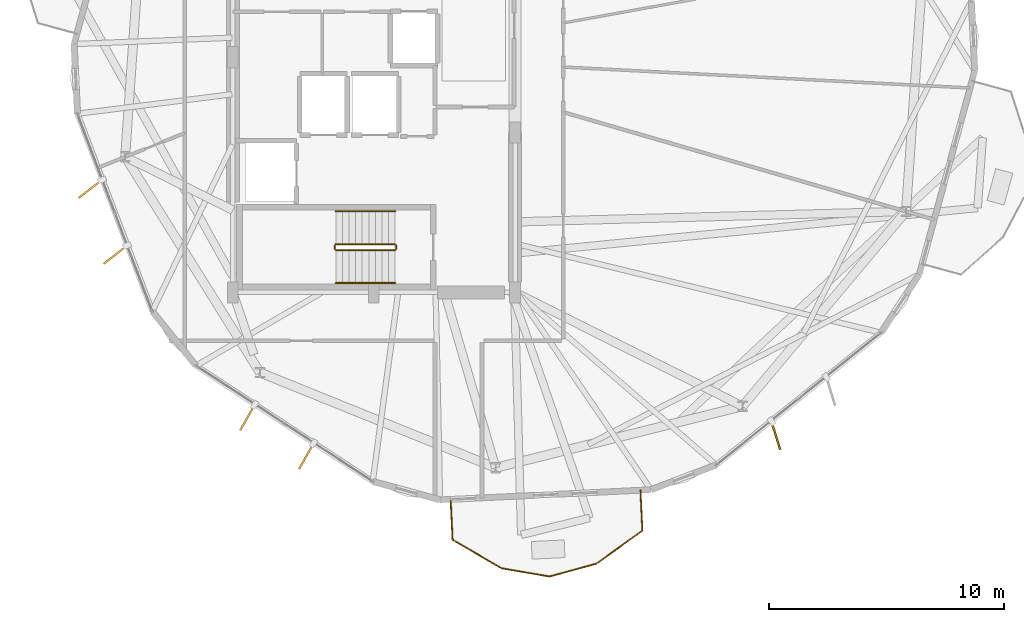
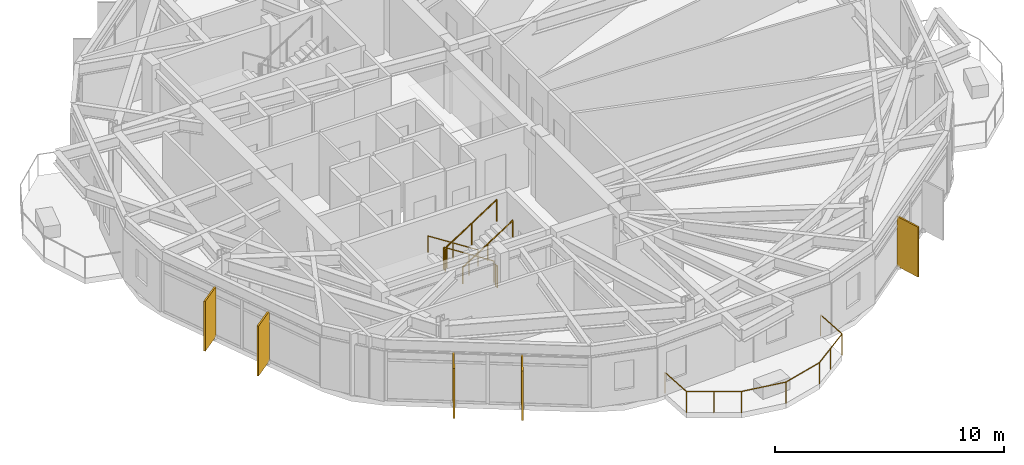
# One storey, part 21 of 23: 7 railings, 5 shading devices.
"""IFC4 building model written with IfcOpenShell, lengths in metres."""

import ifcopenshell
import ifcopenshell.guid

model = None  # the IFC model being written
_history = None  # IfcOwnerHistory: only IFC2X3 demands one
_inside = {}  # id of a spatial element -> (the spatial element, [elements in it])
_under = {}  # id of a project, library or spatial element -> (it, [spatial elements below it])
_declared = {}  # id of a project -> (the project, [libraries it declares])
_typed = {}  # id of a type object -> (the type object, [elements of that type])
_made_of = {}  # id of a material, layer set ... -> (it, [elements and type objects made of it])


def new_model(schema):
    """Start an empty IFC model of exactly this schema.

    Asked for "IFC4X3", IfcOpenShell would pick the latest addendum, in which some entities
    have other attributes; the version numbers below select the first issue.
    IFC2X3 requires an IfcOwnerHistory on every rooted entity: one is made here for all.
    """
    global model, _history
    if schema == "IFC4X3":
        model = ifcopenshell.file(schema_version=(4, 3, 0, 0))
    else:
        model = ifcopenshell.file(schema=schema)
    _inside.clear()
    _under.clear()
    _declared.clear()
    _typed.clear()
    _made_of.clear()
    _history = None
    if model.schema == "IFC2X3":
        org = make("IfcOrganization", Name="unknown")
        user = make(
            "IfcPersonAndOrganization",
            ThePerson=make("IfcPerson", FamilyName="unknown"),
            TheOrganization=org,
        )
        app = make(
            "IfcApplication",
            ApplicationDeveloper=org,
            Version="unknown",
            ApplicationFullName="unknown",
            ApplicationIdentifier="unknown",
        )
        _history = make(
            "IfcOwnerHistory",
            OwningUser=user,
            OwningApplication=app,
            ChangeAction="ADDED",
            CreationDate=0,
        )
    return model


def make(cls, **values):
    """One entity of the class cls with the attributes given. An attribute that is None is left unset."""
    return model.create_entity(
        cls, **{name: value for name, value in values.items() if value is not None}
    )


def rooted(cls, **values):
    """An entity with a GlobalId (a new one), such as an element, a storey or a relation."""
    return make(cls, GlobalId=ifcopenshell.guid.new(), OwnerHistory=_history, **values)


def si_unit(unit_type, name, prefix=None):
    """IfcSIUnit, for example si_unit("LENGTHUNIT", "METRE", prefix="MILLI")."""
    return make("IfcSIUnit", UnitType=unit_type, Prefix=prefix, Name=name)


def assignment(units):
    """IfcUnitAssignment: the units of a project."""
    return None if units is None else make("IfcUnitAssignment", Units=units)


def point(xyz):
    """IfcCartesianPoint."""
    return None if xyz is None else make("IfcCartesianPoint", Coordinates=xyz)


def direction(xyz):
    """IfcDirection."""
    return None if xyz is None else make("IfcDirection", DirectionRatios=xyz)


def frame(location, z_axis=None, x_axis=None):
    """IfcAxis2Placement3D, a coordinate frame: its origin and axes. An axis left out is left unset."""
    return make(
        "IfcAxis2Placement3D",
        Location=point(location),
        Axis=direction(z_axis),
        RefDirection=direction(x_axis),
    )


def frame_2d(location, x_axis=None):
    """IfcAxis2Placement2D, a coordinate frame in the plane: its origin and x axis."""
    return make(
        "IfcAxis2Placement2D", Location=point(location), RefDirection=direction(x_axis)
    )


def origin():
    """The frame at (0, 0, 0) with its axes left unset."""
    return frame((0.0, 0.0, 0.0))


def origin_2d():
    """The frame at (0, 0) in the plane with its x axis left unset."""
    return frame_2d((0.0, 0.0))


def place(relative_to, where):
    """IfcLocalPlacement: puts the frame where relative to a parent placement (None: the world)."""
    return make(
        "IfcLocalPlacement", PlacementRelTo=relative_to, RelativePlacement=where
    )


def context(
    kind, dimensions, precision=None, world=None, true_north=None, identifier=None
):
    """IfcGeometricRepresentationContext, for example the 3D "Model" context."""
    return make(
        "IfcGeometricRepresentationContext",
        ContextIdentifier=identifier,
        ContextType=kind,
        CoordinateSpaceDimension=dimensions,
        Precision=precision,
        WorldCoordinateSystem=world,
        TrueNorth=true_north,
    )


def subcontext(parent, identifier, kind, view, scale=None):
    """IfcGeometricRepresentationSubContext, for example "Body" below "Model"."""
    return make(
        "IfcGeometricRepresentationSubContext",
        ContextIdentifier=identifier,
        ContextType=kind,
        ParentContext=parent,
        TargetScale=scale,
        TargetView=view,
    )


def project(units=None, contexts=None):
    """IfcProject with its units and contexts."""
    return rooted(
        "IfcProject",
        Name="project",
        RepresentationContexts=contexts,
        UnitsInContext=assignment(units),
    )


def spatial(cls, under=None, at=None, **own):
    """A site, building, storey or space (cls), placed at a placement, below another one or the project."""
    s = rooted(cls, ObjectPlacement=at, **own)
    if under is not None:
        _under.setdefault(under.id(), (under, []))[1].append(s)
    return s


def profile(cls, at=None, kind="AREA", **sizes):
    """A parametric profile (cls). Its sizes go by their IFC names, for example OverallWidth=200.0."""
    return make(cls, ProfileType=kind, Position=at, **sizes)


def rectangle(**sizes):
    """IfcRectangleProfileDef."""
    return profile("IfcRectangleProfileDef", **sizes)


def circle(**sizes):
    """IfcCircleProfileDef."""
    return profile("IfcCircleProfileDef", **sizes)


def extrude(swept, where, along, depth):
    """IfcExtrudedAreaSolid: the profile swept, set in the frame where, extruded along a direction by depth."""
    return make(
        "IfcExtrudedAreaSolid",
        SweptArea=swept,
        Position=where,
        ExtrudedDirection=direction(along),
        Depth=depth,
    )


def shape(context_of_items, identifier, shape_type, items):
    """IfcShapeRepresentation: the items that make up one representation, for example the "Body"."""
    return make(
        "IfcShapeRepresentation",
        ContextOfItems=context_of_items,
        RepresentationIdentifier=identifier,
        RepresentationType=shape_type,
        Items=items,
    )


def material(Name=None, Category=None):
    """IfcMaterial."""
    return make("IfcMaterial", Name=Name, Category=Category)


def layer(
    of_material, thickness, ventilated=None, Name=None, Category=None, Priority=None
):
    """IfcMaterialLayer: one layer of a wall or slab, of a material (None: an air gap)."""
    return make(
        "IfcMaterialLayer",
        Material=of_material,
        LayerThickness=thickness,
        IsVentilated=ventilated,
        Name=Name,
        Category=Category,
        Priority=Priority,
    )


def layer_set(layers, Name=None):
    """IfcMaterialLayerSet."""
    return make("IfcMaterialLayerSet", MaterialLayers=layers, LayerSetName=Name)


def made_of(thing, what):
    """Note that an element or type object is made of a material, layer set ...; save() writes the relation."""
    if what is not None:
        _made_of.setdefault(what.id(), (what, []))[1].append(thing)
    return thing


def type_object(cls, material=None, **own):
    """A type object (cls), such as IfcWallType, which elements share."""
    return made_of(rooted(cls, **own), material)


def element(
    cls,
    number,
    at=None,
    inside=None,
    cuts=None,
    type_object=None,
    material=None,
    context=None,
    identifier="Body",
    shape_type=None,
    held_by="IfcProductDefinitionShape",
    body=None,
    shapes=None,
    **own,
):
    """One element of the class cls, such as IfcWall. Its Tag is "e" and its number.

    at: its placement. inside: the storey or other place that contains it. cuts: it is an
    opening in that element (IfcRelVoidsElement). A single representation is given by context,
    identifier, shape_type and body (its items); several are given by shapes. held_by: the class
    of the entity that holds the representations. save() writes the other relations.
    """
    e = rooted(cls, Tag="e%d" % number, ObjectPlacement=at, **own)
    if body is not None:
        shapes = [shape(context, identifier, shape_type, body)]
    if shapes is not None:
        e.Representation = make(held_by, Representations=shapes)
    if inside is not None:
        _inside.setdefault(inside.id(), (inside, []))[1].append(e)
    if cuts is not None:
        rooted(
            "IfcRelVoidsElement", RelatingBuildingElement=cuts, RelatedOpeningElement=e
        )
    if type_object is not None:
        _typed.setdefault(type_object.id(), (type_object, []))[1].append(e)
    return made_of(e, material)


def aggregate(whole, parts):
    """IfcRelAggregates: a whole, such as a stair, and the parts it consists of."""
    return rooted("IfcRelAggregates", RelatingObject=whole, RelatedObjects=parts)


def save(model, path):
    """Write the relations noted so far, then the file.

    IfcRelAggregates (storeys below a building ...), IfcRelContainedInSpatialStructure (elements
    in a storey), IfcRelDefinesByType, IfcRelAssociatesMaterial and IfcRelDeclares: one each for
    every whole, place, type object, material and project.
    """
    for whole, parts in _under.values():
        aggregate(whole, parts)
    for where, things in _inside.values():
        rooted(
            "IfcRelContainedInSpatialStructure",
            RelatedElements=things,
            RelatingStructure=where,
        )
    for kind, things in _typed.values():
        rooted("IfcRelDefinesByType", RelatedObjects=things, RelatingType=kind)
    for what, things in _made_of.values():
        rooted("IfcRelAssociatesMaterial", RelatedObjects=things, RelatingMaterial=what)
    for by, libraries in _declared.values():
        rooted("IfcRelDeclares", RelatingContext=by, RelatedDefinitions=libraries)
    model.write(path)


model = new_model("IFC4")

# Units and contexts
model_context = context("Model", 3, precision=1e-05, world=origin(), true_north=direction((0.0, 1.0)))
body_context = subcontext(model_context, "Body", "Model", "MODEL_VIEW")
ifc_project = project(units=[si_unit("LENGTHUNIT", "METRE"), si_unit("AREAUNIT", "SQUARE_METRE"), si_unit("VOLUMEUNIT", "CUBIC_METRE"), si_unit("PLANEANGLEUNIT", "RADIAN"), si_unit("MASSUNIT", "GRAM", prefix="KILO")], contexts=[model_context])

# Site, building, storey
site_placement = place(None, origin())
site = spatial("IfcSite", under=ifc_project, at=site_placement, CompositionType="ELEMENT")
building_placement = place(site_placement, origin())
building = spatial("IfcBuilding", under=site, at=building_placement, Name="Soratama Intermodal Tower", CompositionType="ELEMENT")
storey_placement = place(building_placement, frame((0.0, 0.0, 175.0)))
storey = spatial("IfcBuildingStorey", under=building, at=storey_placement, Name="L43", CompositionType="ELEMENT", Elevation=175.0)

# Railings
ifc_material_1 = material(Name="Laminated glass and stainless steel balustrade", Category="steel")
railing_type_1 = type_object("IfcRailingType", Name="RL-BAL-1150", PredefinedType="BALUSTRADE", material=ifc_material_1)
railing_1_placement = place(storey_placement, frame((49.93505859375, 6.588623046875, 0.0)))
element("IfcRailing", 1, at=railing_1_placement, inside=storey, type_object=railing_type_1, Name="L43 Balcony Balustrade 3", PredefinedType="BALUSTRADE", context=body_context, shape_type="SweptSolid", body=[
    extrude(circle(Radius=0.02392578125, at=origin_2d()), frame((0.0, 0.0, 1.1259765625), z_axis=(0.048118135555, -0.99884165163, 0.0), x_axis=(0.99884165163, 0.048118135555, 0.0)), (0.0, 0.0, 1.0), 1.719970703125),
    extrude(circle(Radius=0.02392578125, at=origin_2d()), frame((0.082763671875, -1.718017578125, 1.1259765625), z_axis=(-0.811818717804, -0.583909555859, 0.0), x_axis=(0.583909555859, -0.811818717804, 0.0)), (0.0, 0.0, 1.0), 2.4091796875),
    extrude(circle(Radius=0.02392578125, at=origin_2d()), frame((-1.873046875, -3.124755859375, 1.1259765625), z_axis=(-0.964627658087, -0.263616162733, 0.0), x_axis=(0.263616162733, -0.964627658087, 0.0)), (0.0, 0.0, 1.0), 2.07080078125),
    extrude(circle(Radius=0.02392578125, at=origin_2d()), frame((-3.87060546875, -3.670654296875, 1.1259765625), z_axis=(-0.985503648178, 0.169654234924, 0.0), x_axis=(-0.169654234924, -0.985503648178, 0.0)), (0.0, 0.0, 1.0), 2.07080078125),
    extrude(circle(Radius=0.02392578125, at=origin_2d()), frame((-5.911376953125, -3.3193359375, 1.1259765625), z_axis=(-0.864249005686, 0.503064266443, 0.0), x_axis=(-0.503064266443, -0.864249005686, 0.0)), (0.0, 0.0, 1.0), 2.4091796875),
    extrude(circle(Radius=0.02392578125, at=origin_2d()), frame((-7.993408203125, -2.107421875, 1.1259765625), z_axis=(-0.048118135555, 0.99884165163, 0.0), x_axis=(-0.99884165163, -0.048118135555, 0.0)), (0.0, 0.0, 1.0), 1.719970703125),
    extrude(circle(Radius=0.02099609375, at=origin_2d()), origin(), (0.0, 0.0, 1.0), 1.101806640625),
    extrude(circle(Radius=0.02099609375, at=origin_2d()), frame((0.082763671875, -1.718017578125, 0.0)), (0.0, 0.0, 1.0), 1.101806640625),
    extrude(circle(Radius=0.02099609375, at=origin_2d()), frame((-0.89501953125, -2.42138671875, 0.0)), (0.0, 0.0, 1.0), 1.101806640625),
    extrude(circle(Radius=0.02099609375, at=origin_2d()), frame((-1.873046875, -3.124755859375, 0.0)), (0.0, 0.0, 1.0), 1.101806640625),
    extrude(circle(Radius=0.02099609375, at=origin_2d()), frame((-3.87060546875, -3.670654296875, 0.0)), (0.0, 0.0, 1.0), 1.101806640625),
    extrude(circle(Radius=0.02099609375, at=origin_2d()), frame((-5.911376953125, -3.3193359375, 0.0)), (0.0, 0.0, 1.0), 1.101806640625),
    extrude(circle(Radius=0.02099609375, at=origin_2d()), frame((-6.952392578125, -2.71337890625, 0.0)), (0.0, 0.0, 1.0), 1.101806640625),
    extrude(circle(Radius=0.02099609375, at=origin_2d()), frame((-7.993408203125, -2.107421875, 0.0)), (0.0, 0.0, 1.0), 1.101806640625),
    extrude(circle(Radius=0.02099609375, at=origin_2d()), frame((-8.076171875, -0.389404296875, 0.0)), (0.0, 0.0, 1.0), 1.101806640625),
])
ifc_material_2 = material(Name="Painted steel stair guardrail", Category="steel")
railing_type_2 = type_object("IfcRailingType", Name="RL-STAIR-GUARD", PredefinedType="GUARDRAIL", material=ifc_material_2)
railing_2_placement = place(storey_placement, frame((39.5, 17.050048828125, 0.179931640625)))
element("IfcRailing", 2, at=railing_2_placement, inside=storey, type_object=railing_type_2, Name="L43 ST-1 stair guard 1", PredefinedType="GUARDRAIL", context=body_context, shape_type="SweptSolid", body=[
    extrude(circle(Radius=0.02392578125, at=origin_2d()), frame((0.0, 0.0, 1.1259765625), z_axis=(-0.841162588446, 0.0, 0.540782303519), x_axis=(0.0, -1.0, 0.0)), (0.0, 0.0, 1.0), 2.995849609375),
    extrude(circle(Radius=0.02099609375, at=origin_2d()), origin(), (0.0, 0.0, 1.0), 1.101806640625),
    extrude(circle(Radius=0.02099609375, at=origin_2d()), frame((-1.260009765625, 0.0, 0.81005859375)), (0.0, 0.0, 1.0), 1.101806640625),
    extrude(circle(Radius=0.02099609375, at=origin_2d()), frame((-2.52001953125, 0.0, 1.6201171875)), (0.0, 0.0, 1.0), 1.101806640625),
])
railing_3_placement = place(storey_placement, frame((36.929931640625, 17.0, 1.800048828125)))
element("IfcRailing", 3, at=railing_3_placement, inside=storey, type_object=railing_type_2, Name="L43 ST-1 stair guard 2", PredefinedType="GUARDRAIL", context=body_context, shape_type="SweptSolid", body=[
    extrude(circle(Radius=0.02392578125, at=origin_2d()), frame((0.0, 0.0, 1.1259765625), z_axis=(0.0, -1.0, 0.0), x_axis=(1.0, 0.0, 0.0)), (0.0, 0.0, 1.0), 0.14990234375),
    extrude(circle(Radius=0.02099609375, at=origin_2d()), origin(), (0.0, 0.0, 1.0), 1.101806640625),
    extrude(circle(Radius=0.02099609375, at=origin_2d()), frame((0.0, -0.14990234375, 0.0)), (0.0, 0.0, 1.0), 1.101806640625),
])
railing_4_placement = place(storey_placement, frame((36.97998046875, 16.800048828125, 1.97998046875)))
element("IfcRailing", 4, at=railing_4_placement, inside=storey, type_object=railing_type_2, Name="L43 ST-1 stair guard 3", PredefinedType="GUARDRAIL", context=body_context, shape_type="SweptSolid", body=[
    extrude(circle(Radius=0.02392578125, at=origin_2d()), frame((0.0, 0.0, 1.1259765625), z_axis=(0.841162588446, 0.0, 0.540782303519), x_axis=(0.0, 1.0, 0.0)), (0.0, 0.0, 1.0), 2.995849609375),
    extrude(circle(Radius=0.02099609375, at=origin_2d()), origin(), (0.0, 0.0, 1.0), 1.101806640625),
    extrude(circle(Radius=0.02099609375, at=origin_2d()), frame((1.260009765625, 0.0, 0.81005859375)), (0.0, 0.0, 1.0), 1.101806640625),
    extrude(circle(Radius=0.02099609375, at=origin_2d()), frame((2.52001953125, 0.0, 1.6201171875)), (0.0, 0.0, 1.0), 1.101806640625),
])
railing_5_placement = place(storey_placement, frame((39.550048828125, 17.0, 0.0)))
element("IfcRailing", 5, at=railing_5_placement, inside=storey, type_object=railing_type_2, Name="L43 ST-1 stair guard 4", PredefinedType="GUARDRAIL", context=body_context, shape_type="SweptSolid", body=[
    extrude(circle(Radius=0.02392578125, at=origin_2d()), frame((0.0, 0.0, 1.1259765625), z_axis=(0.0, -1.0, 0.0), x_axis=(1.0, 0.0, 0.0)), (0.0, 0.0, 1.0), 0.14990234375),
    extrude(circle(Radius=0.02099609375, at=origin_2d()), origin(), (0.0, 0.0, 1.0), 1.101806640625),
    extrude(circle(Radius=0.02099609375, at=origin_2d()), frame((0.0, -0.14990234375, 0.0)), (0.0, 0.0, 1.0), 1.101806640625),
])
ifc_material_3 = material(Name="Brushed stainless steel handrail", Category="steel")
railing_type_3 = type_object("IfcRailingType", Name="RL-STAIR-HAND", PredefinedType="HANDRAIL", material=ifc_material_3)
railing_6_placement = place(storey_placement, frame((39.5, 18.449951171875, 0.179931640625)))
element("IfcRailing", 6, at=railing_6_placement, inside=storey, type_object=railing_type_3, Name="L43 ST-1 stair handrail 1", PredefinedType="HANDRAIL", context=body_context, shape_type="SweptSolid", body=[
    extrude(circle(Radius=0.02392578125, at=origin_2d()), frame((0.0, 0.0, 0.8759765625), z_axis=(-0.841162588446, 0.0, 0.540782303519), x_axis=(0.0, -1.0, 0.0)), (0.0, 0.0, 1.0), 2.995849609375),
    extrude(circle(Radius=0.02099609375, at=origin_2d()), origin(), (0.0, 0.0, 1.0), 0.851806640625),
    extrude(circle(Radius=0.02099609375, at=origin_2d()), frame((-1.260009765625, 0.0, 0.81005859375)), (0.0, 0.0, 1.0), 0.851806640625),
    extrude(circle(Radius=0.02099609375, at=origin_2d()), frame((-2.52001953125, 0.0, 1.6201171875)), (0.0, 0.0, 1.0), 0.851806640625),
])
railing_7_placement = place(storey_placement, frame((36.97998046875, 15.39990234375, 1.97998046875)))
element("IfcRailing", 7, at=railing_7_placement, inside=storey, type_object=railing_type_3, Name="L43 ST-1 stair handrail 2", PredefinedType="HANDRAIL", context=body_context, shape_type="SweptSolid", body=[
    extrude(circle(Radius=0.02392578125, at=origin_2d()), frame((0.0, 0.0, 0.8759765625), z_axis=(0.841162588446, 0.0, 0.540782303519), x_axis=(0.0, 1.0, 0.0)), (0.0, 0.0, 1.0), 2.995849609375),
    extrude(circle(Radius=0.02099609375, at=origin_2d()), origin(), (0.0, 0.0, 1.0), 0.851806640625),
    extrude(circle(Radius=0.02099609375, at=origin_2d()), frame((1.260009765625, 0.0, 0.81005859375)), (0.0, 0.0, 1.0), 0.851806640625),
    extrude(circle(Radius=0.02099609375, at=origin_2d()), frame((2.52001953125, 0.0, 1.6201171875)), (0.0, 0.0, 1.0), 0.851806640625),
])

# Shading devices
ifc_material_4 = material(Name="Champagne anodised aluminium solar fin", Category="aluminium")
ifc_layer = layer(ifc_material_4, 0.080078125)
ifc_layer_set = layer_set([ifc_layer], Name="Champagne anodised aluminium solar fin")
shading_device_type = type_object("IfcShadingDeviceType", Name="SH-FIN-1250", PredefinedType="USERDEFINED", material=ifc_layer_set)
for number, where, z_axis, x_axis, name in (
    (8, (26.540771484375, 19.403076171875, 0.02001953125), (0.0, 0.0, 1.0), (-0.790903229713, -0.611941240013, 0.0), "L43 Solar Fin F05-1"),
    (9, (27.6025390625, 16.602294921875, 0.02001953125), (0.0, 0.0, 1.0), (-0.790903229713, -0.611941240013, 0.0), "L43 Solar Fin F05-2"),
    (10, (33.21923828125, 9.6796875, 0.02001953125), (0.0, 0.0, 1.0), (-0.492271646879, -0.870441626808, 0.0), "L43 Solar Fin F06-1"),
    (11, (35.724365234375, 8.037841796875, 0.02001953125), (0.0, 0.0, 1.0), (-0.492271646879, -0.870441626808, 0.0), "L43 Solar Fin F06-2"),
    (12, (55.68701171875, 8.92138671875, 0.02001953125), (0.0, 0.0, 1.0), (0.298707681332, -0.954344655307, 0.0), "L43 Solar Fin F08-1"),
):
    element("IfcShadingDevice", number, at=place(storey_placement, frame(where, z_axis=z_axis, x_axis=x_axis)), inside=storey, type_object=shading_device_type, Name=name, ObjectType="FIN", PredefinedType="USERDEFINED", context=body_context, shape_type="SweptSolid", body=[
        extrude(rectangle(XDim=1.25, YDim=0.080078125, at=origin_2d()), origin(), (0.0, 0.0, 1.0), 2.658935546875),
    ])

save(model, "model.ifc")
